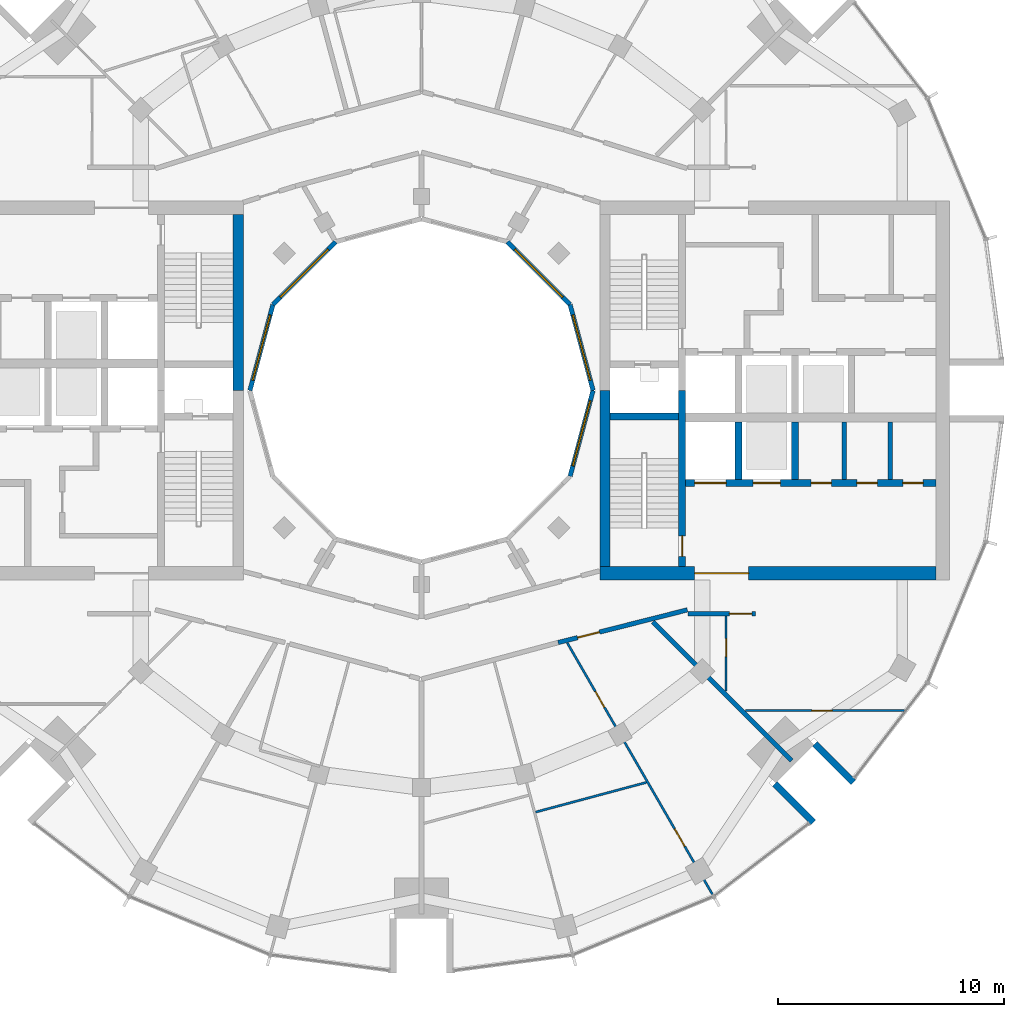
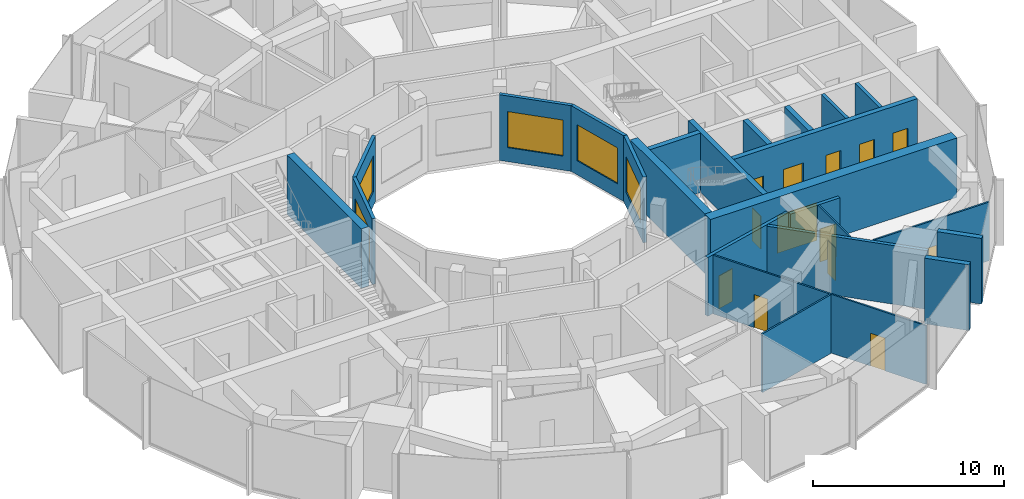
# One storey, part 10 of 15: 24 walls, 13 doors, 5 windows, 18 openings.
"""IFC4 building model written with IfcOpenShell, lengths in metres."""

from ifc_helpers import new_model, si_unit, direction, frame, frame_2d, origin, place, context, subcontext, project, spatial, rectangle, extrude, material, layer, layer_set, type_object, element, fill, save


model = new_model("IFC4")

# Units and contexts
model_context = context("Model", 3, precision=1e-05, world=origin(), true_north=direction((0.0, 1.0)))
body_context = subcontext(model_context, "Body", "Model", "MODEL_VIEW")
ifc_project = project(units=[si_unit("LENGTHUNIT", "METRE"), si_unit("AREAUNIT", "SQUARE_METRE"), si_unit("VOLUMEUNIT", "CUBIC_METRE"), si_unit("PLANEANGLEUNIT", "RADIAN"), si_unit("MASSUNIT", "GRAM", prefix="KILO")], contexts=[model_context])

# Site, building, storey
site_placement = place(None, origin())
site = spatial("IfcSite", under=ifc_project, at=site_placement, CompositionType="ELEMENT")
building_placement = place(site_placement, origin())
building = spatial("IfcBuilding", under=site, at=building_placement, Name="Torre Brocal", CompositionType="ELEMENT")
storey_placement = place(building_placement, frame((0.0, 0.0, 225.10009765625)))
storey = spatial("IfcBuildingStorey", under=building, at=storey_placement, Name="L52", CompositionType="ELEMENT", Elevation=225.10009765625)

# Walls
ifc_material_1 = material(Name="Masonry block", Category="masonry")
ifc_layer_1 = layer(ifc_material_1, 0.199951171875)
ifc_layer_set_1 = layer_set([ifc_layer_1], Name="Masonry block")
wall_type_1 = type_object("IfcWallType", Name="CORE PARTITION 200 UNDER 400 SLAB", PredefinedType="PARTITIONING", material=ifc_layer_set_1)
for number, where, z_axis, x_axis, name in (
    (1, (98.7333984375, 71.050048828125, 0.0), (0.0, 0.0, 1.0), (0.0, 1.0, 0.0), "Wall CP200-S400"),
    (2, (100.7666015625, 71.050048828125, 0.0), (0.0, 0.0, 1.0), (0.0, 1.0, 0.0), "Wall CP200-S400"),
):
    element("IfcWall", number, at=place(storey_placement, frame(where, z_axis=z_axis, x_axis=x_axis)), inside=storey, type_object=wall_type_1, Name=name, PredefinedType="PARTITIONING", context=body_context, shape_type="SweptSolid", body=[
        extrude(rectangle(XDim=2.550048828125, YDim=0.199951171875, at=frame_2d((1.27490234375, 0.0))), origin(), (0.0, 0.0, 1.0), 3.7998046875),
    ])

# Wall, opening, door
ifc_material_2 = material(Name="Concrete C60", Category="concrete")
ifc_layer_2 = layer(ifc_material_2, 0.300048828125)
ifc_layer_set_2 = layer_set([ifc_layer_2], Name="Concrete C60")
wall_type_2 = type_object("IfcWallType", Name="CORE WALL 300 C60 UNDER 400 SLAB", PredefinedType="SHEAR", material=ifc_layer_set_2)
wall_1_placement = place(storey_placement, frame((91.550048828125, 67.199951171875, 0.0), z_axis=(0.0, 0.0, 1.0), x_axis=(0.0, 1.0, 0.0)))
wall_1 = element("IfcWall", 3, at=wall_1_placement, inside=storey, type_object=wall_type_2, Name="Wall CW300-60-S400", PredefinedType="SHEAR", context=body_context, shape_type="SweptSolid", body=[
    extrude(rectangle(XDim=7.800048828125, YDim=0.300048828125, at=frame_2d((3.89990234375, 0.0))), origin(), (0.0, 0.0, 1.0), 3.7998046875),
])
opening_1_placement = place(wall_1_placement, frame((0.449951171875, 0.0, 0.0)))
opening_1 = element("IfcOpeningElement", 4, at=opening_1_placement, cuts=wall_1, Name="Opening E-D03", PredefinedType="OPENING", context=body_context, shape_type="SweptSolid", body=[
    extrude(rectangle(XDim=0.89990234375, YDim=2.10009765625, at=frame_2d((0.449951171875, 1.050048828125))), frame((0.0, 0.159912109375, 0.0), z_axis=(0.0, -1.0, 0.0), x_axis=(1.0, 0.0, 0.0)), (0.0, 0.0, 1.0), 0.320068359375),
])
ifc_material_3 = material(Name="Steel A653", Category="steel")
door_type_1 = type_object("IfcDoorType", Name="STAIR DOOR FD120 900X2100", OperationType="SINGLE_SWING_RIGHT", PredefinedType="DOOR", material=ifc_material_3)
door_1_placement = place(opening_1_placement, origin())
door_1 = element("IfcDoor", 5, at=door_1_placement, inside=storey, type_object=door_type_1, Name="Door E-D03", OperationType="SINGLE_SWING_LEFT", OverallHeight=2.10009765625, OverallWidth=0.89990234375, PredefinedType="DOOR", context=body_context, shape_type="SweptSolid", body=[
    extrude(rectangle(XDim=0.89990234375, YDim=2.10009765625, at=frame_2d((0.449951171875, 1.050048828125))), frame((0.0, 0.02490234375, 0.0), z_axis=(0.0, -1.0, 0.0), x_axis=(1.0, 0.0, 0.0)), (0.0, 0.0, 1.0), 0.050048828125),
])
fill(opening_1, door_1)

# Wall
wall_2_placement = place(storey_placement, frame((88.35009765625, 73.85009765625, 0.0), z_axis=(0.0, 0.0, 1.0), x_axis=(1.0, 0.0, 0.0)))
element("IfcWall", 6, at=wall_2_placement, inside=storey, type_object=wall_type_2, Name="Wall CW300-60-S400", PredefinedType="SHEAR", context=body_context, shape_type="SweptSolid", body=[
    extrude(rectangle(XDim=3.0498046875, YDim=0.300048828125, at=frame_2d((1.52490234375, 0.0))), origin(), (0.0, 0.0, 1.0), 3.7998046875),
])

# Wall, openings, doors
wall_3_placement = place(storey_placement, frame((91.699951171875, 70.89990234375, 0.0), z_axis=(0.0, 0.0, 1.0), x_axis=(1.0, 0.0, 0.0)))
wall_3 = element("IfcWall", 7, at=wall_3_placement, inside=storey, type_object=wall_type_2, Name="Wall CW300-60-S400", PredefinedType="SHEAR", context=body_context, shape_type="SweptSolid", body=[
    extrude(rectangle(XDim=11.10009765625, YDim=0.300048828125, at=frame_2d((5.550048828125, 0.0))), origin(), (0.0, 0.0, 1.0), 3.7998046875),
])
opening_2_placement = place(wall_3_placement, frame((0.39990234375, 0.0, 0.0)))
opening_2 = element("IfcOpeningElement", 8, at=opening_2_placement, cuts=wall_3, Name="Opening LD14", PredefinedType="OPENING", context=body_context, shape_type="SweptSolid", body=[
    extrude(rectangle(XDim=1.39990234375, YDim=2.10009765625, at=frame_2d((0.699951171875, 1.050048828125))), frame((0.0, 0.159912109375, 0.0), z_axis=(0.0, -1.0, 0.0), x_axis=(1.0, 0.0, 0.0)), (0.0, 0.0, 1.0), 0.320068359375),
])
opening_3_placement = place(wall_3_placement, frame((3.0, 0.0, 0.0)))
opening_3 = element("IfcOpeningElement", 9, at=opening_3_placement, cuts=wall_3, Name="Opening LD12", PredefinedType="OPENING", context=body_context, shape_type="SweptSolid", body=[
    extrude(rectangle(XDim=1.199951171875, YDim=2.10009765625, at=frame_2d((0.60009765625, 1.050048828125))), frame((0.0, 0.159912109375, 0.0), z_axis=(0.0, -1.0, 0.0), x_axis=(1.0, 0.0, 0.0)), (0.0, 0.0, 1.0), 0.320068359375),
])
opening_4_placement = place(wall_3_placement, frame((5.566650390625, 0.0, 0.0)))
opening_4 = element("IfcOpeningElement", 10, at=opening_4_placement, cuts=wall_3, Name="Opening E-D05", PredefinedType="OPENING", context=body_context, shape_type="SweptSolid", body=[
    extrude(rectangle(XDim=0.89990234375, YDim=2.10009765625, at=frame_2d((0.449951171875, 1.050048828125))), frame((0.0, 0.159912109375, 0.0), z_axis=(0.0, -1.0, 0.0), x_axis=(1.0, 0.0, 0.0)), (0.0, 0.0, 1.0), 0.320068359375),
])
opening_5_placement = place(wall_3_placement, frame((7.60009765625, 0.0, 0.0)))
opening_5 = element("IfcOpeningElement", 11, at=opening_5_placement, cuts=wall_3, Name="Opening E-D06", PredefinedType="OPENING", context=body_context, shape_type="SweptSolid", body=[
    extrude(rectangle(XDim=0.89990234375, YDim=2.10009765625, at=frame_2d((0.449951171875, 1.050048828125))), frame((0.0, 0.159912109375, 0.0), z_axis=(0.0, -1.0, 0.0), x_axis=(1.0, 0.0, 0.0)), (0.0, 0.0, 1.0), 0.320068359375),
])
opening_6_placement = place(wall_3_placement, frame((9.63330078125, 0.0, 0.0)))
opening_6 = element("IfcOpeningElement", 12, at=opening_6_placement, cuts=wall_3, Name="Opening E-D07", PredefinedType="OPENING", context=body_context, shape_type="SweptSolid", body=[
    extrude(rectangle(XDim=0.89990234375, YDim=2.10009765625, at=frame_2d((0.449951171875, 1.050048828125))), frame((0.0, 0.159912109375, 0.0), z_axis=(0.0, -1.0, 0.0), x_axis=(1.0, 0.0, 0.0)), (0.0, 0.0, 1.0), 0.320068359375),
])
ifc_material_4 = material(Name="Stainless steel AISI 316", Category="steel")
door_type_2 = type_object("IfcDoorType", Name="LIFT LANDING DOOR 1200X2100", OperationType="DOUBLE_DOOR_SLIDING", PredefinedType="DOOR", material=ifc_material_4)
door_2_placement = place(opening_3_placement, origin())
door_2 = element("IfcDoor", 13, at=door_2_placement, inside=storey, type_object=door_type_2, Name="Door LD12", OperationType="DOUBLE_DOOR_SLIDING", OverallHeight=2.10009765625, OverallWidth=1.199951171875, PredefinedType="DOOR", context=body_context, shape_type="SweptSolid", body=[
    extrude(rectangle(XDim=1.199951171875, YDim=2.10009765625, at=frame_2d((0.60009765625, 1.050048828125))), frame((0.0, 0.02490234375, 0.0), z_axis=(0.0, -1.0, 0.0), x_axis=(1.0, 0.0, 0.0)), (0.0, 0.0, 1.0), 0.050048828125),
])
fill(opening_3, door_2)
ifc_material_5 = material(Name="Stainless steel AISI 316", Category="steel")
door_type_3 = type_object("IfcDoorType", Name="LIFT LANDING DOOR 1400X2100", OperationType="DOUBLE_DOOR_SLIDING", PredefinedType="DOOR", material=ifc_material_5)
door_3_placement = place(opening_2_placement, origin())
door_3 = element("IfcDoor", 14, at=door_3_placement, inside=storey, type_object=door_type_3, Name="Door LD14", OperationType="DOUBLE_DOOR_SLIDING", OverallHeight=2.10009765625, OverallWidth=1.39990234375, PredefinedType="DOOR", context=body_context, shape_type="SweptSolid", body=[
    extrude(rectangle(XDim=1.39990234375, YDim=2.10009765625, at=frame_2d((0.699951171875, 1.050048828125))), frame((0.0, 0.02490234375, 0.0), z_axis=(0.0, -1.0, 0.0), x_axis=(1.0, 0.0, 0.0)), (0.0, 0.0, 1.0), 0.050048828125),
])
fill(opening_2, door_3)
ifc_material_6 = material(Name="Steel A653", Category="steel")
door_type_4 = type_object("IfcDoorType", Name="ROOM DOOR FD30S 900X2100", OperationType="SINGLE_SWING_LEFT", PredefinedType="DOOR", material=ifc_material_6)
door_4_placement = place(opening_4_placement, origin())
door_4 = element("IfcDoor", 15, at=door_4_placement, inside=storey, type_object=door_type_4, Name="Door E-D05", OperationType="SINGLE_SWING_RIGHT", OverallHeight=2.10009765625, OverallWidth=0.89990234375, PredefinedType="DOOR", context=body_context, shape_type="SweptSolid", body=[
    extrude(rectangle(XDim=0.89990234375, YDim=2.10009765625, at=frame_2d((0.449951171875, 1.050048828125))), frame((0.0, 0.02490234375, 0.0), z_axis=(0.0, -1.0, 0.0), x_axis=(1.0, 0.0, 0.0)), (0.0, 0.0, 1.0), 0.050048828125),
])
fill(opening_4, door_4)
door_5_placement = place(opening_5_placement, origin())
door_5 = element("IfcDoor", 16, at=door_5_placement, inside=storey, type_object=door_type_4, Name="Door E-D06", OperationType="SINGLE_SWING_RIGHT", OverallHeight=2.10009765625, OverallWidth=0.89990234375, PredefinedType="DOOR", context=body_context, shape_type="SweptSolid", body=[
    extrude(rectangle(XDim=0.89990234375, YDim=2.10009765625, at=frame_2d((0.449951171875, 1.050048828125))), frame((0.0, 0.02490234375, 0.0), z_axis=(0.0, -1.0, 0.0), x_axis=(1.0, 0.0, 0.0)), (0.0, 0.0, 1.0), 0.050048828125),
])
fill(opening_5, door_5)
door_6_placement = place(opening_6_placement, origin())
door_6 = element("IfcDoor", 17, at=door_6_placement, inside=storey, type_object=door_type_4, Name="Door E-D07", OperationType="SINGLE_SWING_LEFT", OverallHeight=2.10009765625, OverallWidth=0.89990234375, PredefinedType="DOOR", context=body_context, shape_type="SweptSolid", body=[
    extrude(rectangle(XDim=0.89990234375, YDim=2.10009765625, at=frame_2d((0.449951171875, 1.050048828125))), frame((0.0, 0.02490234375, 0.0), z_axis=(0.0, -1.0, 0.0), x_axis=(1.0, 0.0, 0.0)), (0.0, 0.0, 1.0), 0.050048828125),
])
fill(opening_6, door_6)

# Walls
for number, where, z_axis, x_axis, name in (
    (18, (94.050048828125, 71.050048828125, 0.0), (0.0, 0.0, 1.0), (0.0, 1.0, 0.0), "Wall CW300-60-S400"),
    (19, (96.550048828125, 71.050048828125, 0.0), (0.0, 0.0, 1.0), (0.0, 1.0, 0.0), "Wall CW300-60-S400"),
):
    element("IfcWall", number, at=place(storey_placement, frame(where, z_axis=z_axis, x_axis=x_axis)), inside=storey, type_object=wall_type_2, Name=name, PredefinedType="SHEAR", context=body_context, shape_type="SweptSolid", body=[
        extrude(rectangle(XDim=2.550048828125, YDim=0.300048828125, at=frame_2d((1.27490234375, 0.0))), origin(), (0.0, 0.0, 1.0), 3.7998046875),
    ])
ifc_material_7 = material(Name="Concrete C60", Category="concrete")
ifc_layer_3 = layer(ifc_material_7, 0.449951171875)
ifc_layer_set_3 = layer_set([ifc_layer_3], Name="Concrete C60")
wall_type_3 = type_object("IfcWallType", Name="CORE WALL 450 C60 UNDER 400 SLAB", PredefinedType="SHEAR", material=ifc_layer_set_3)
for number, where, z_axis, x_axis, name in (
    (20, (88.125, 67.199951171875, 0.0), (0.0, 0.0, 1.0), (0.0, 1.0, 0.0), "Wall CW450-60-S400"),
    (21, (71.875, 82.800048828125, 0.0), (0.0, 0.0, 1.0), (0.0, -1.0, 0.0), "Wall CW450-60-S400"),
):
    element("IfcWall", number, at=place(storey_placement, frame(where, z_axis=z_axis, x_axis=x_axis)), inside=storey, type_object=wall_type_3, Name=name, PredefinedType="SHEAR", context=body_context, shape_type="SweptSolid", body=[
        extrude(rectangle(XDim=7.800048828125, YDim=0.449951171875, at=frame_2d((3.89990234375, 0.0))), origin(), (0.0, 0.0, 1.0), 3.7998046875),
    ])

# Wall, opening, door
ifc_material_8 = material(Name="Concrete C60", Category="concrete")
ifc_layer_4 = layer(ifc_material_8, 0.60009765625)
ifc_layer_set_4 = layer_set([ifc_layer_4], Name="Concrete C60")
wall_type_4 = type_object("IfcWallType", Name="CORE WALL 600 C60 UNDER 400 SLAB", PredefinedType="SHEAR", material=ifc_layer_set_4)
wall_4_placement = place(storey_placement, frame((87.89990234375, 66.89990234375, 0.0), z_axis=(0.0, 0.0, 1.0), x_axis=(1.0, 0.0, 0.0)))
wall_4 = element("IfcWall", 22, at=wall_4_placement, inside=storey, type_object=wall_type_4, Name="Wall CW600-60-S400", PredefinedType="SHEAR", context=body_context, shape_type="SweptSolid", body=[
    extrude(rectangle(XDim=14.900146484375, YDim=0.60009765625, at=frame_2d((7.4501953125, 0.0))), origin(), (0.0, 0.0, 1.0), 3.7998046875),
])
opening_7_placement = place(wall_4_placement, frame((4.199951171875, 0.0, 0.0)))
opening_7 = element("IfcOpeningElement", 23, at=opening_7_placement, cuts=wall_4, Name="Opening E-D12", PredefinedType="OPENING", context=body_context, shape_type="SweptSolid", body=[
    extrude(rectangle(XDim=2.39990234375, YDim=2.39990234375, at=frame_2d((1.199951171875, 1.199951171875))), frame((0.0, 0.31005859375, 0.0), z_axis=(0.0, -1.0, 0.0), x_axis=(1.0, 0.0, 0.0)), (0.0, 0.0, 1.0), 0.6201171875),
])
ifc_material_9 = material(Name="Steel A653", Category="steel")
door_type_5 = type_object("IfcDoorType", Name="DOUBLE FIRE DOOR FD90 2400X2400", OperationType="DOUBLE_DOOR_SINGLE_SWING", PredefinedType="DOOR", material=ifc_material_9)
door_7_placement = place(opening_7_placement, origin())
door_7 = element("IfcDoor", 24, at=door_7_placement, inside=storey, type_object=door_type_5, Name="Door E-D12", OperationType="DOUBLE_DOOR_SINGLE_SWING", OverallHeight=2.39990234375, OverallWidth=2.39990234375, PredefinedType="DOOR", context=body_context, shape_type="SweptSolid", body=[
    extrude(rectangle(XDim=2.39990234375, YDim=2.39990234375, at=frame_2d((1.199951171875, 1.199951171875))), frame((0.0, 0.02490234375, 0.0), z_axis=(0.0, -1.0, 0.0), x_axis=(1.0, 0.0, 0.0)), (0.0, 0.0, 1.0), 0.050048828125),
])
fill(opening_7, door_7)

# Walls
ifc_material_10 = material(Name="Concrete C60", Category="concrete")
ifc_layer_5 = layer(ifc_material_10, 0.300048828125)
ifc_layer_set_5 = layer_set([ifc_layer_5], Name="Concrete C60")
wall_type_5 = type_object("IfcWallType", Name="NOTCH RETURN WALL 300 C60", PredefinedType="NOTDEFINED", material=ifc_layer_set_5)
for number, where, z_axis, x_axis, name in (
    (25, (95.662353515625, 57.56982421875, 0.0), (0.0, 0.0, 1.0), (0.707106781187, -0.707106781187, 0.0), "NOTCH RETURN WALL"),
    (26, (97.43017578125, 59.337646484375, 0.0), (0.0, 0.0, 1.0), (0.707106781187, -0.707106781187, 0.0), "NOTCH RETURN WALL"),
):
    element("IfcWall", number, at=place(storey_placement, frame(where, z_axis=z_axis, x_axis=x_axis)), inside=storey, type_object=wall_type_5, Name=name, PredefinedType="NOTDEFINED", context=body_context, shape_type="SweptSolid", body=[
        extrude(rectangle(XDim=2.415771484375, YDim=0.300048828125, at=frame_2d((1.2080078125, 0.0))), origin(), (0.0, 0.0, 1.0), 4.199951171875),
    ])
ifc_material_11 = material(Name="Gypsum board", Category="Gypsum")
ifc_layer_6 = layer(ifc_material_11, 0.10009765625)
ifc_layer_set_6 = layer_set([ifc_layer_6], Name="Gypsum board")
wall_type_6 = type_object("IfcWallType", Name="PARTITION 100", PredefinedType="PARTITIONING", material=ifc_layer_set_6)
wall_5_placement = place(storey_placement, frame((85.059326171875, 56.31298828125, 0.0), z_axis=(0.0, 0.0, 1.0), x_axis=(0.965911776939, 0.2588714723, 0.0)))
element("IfcWall", 27, at=wall_5_placement, inside=storey, type_object=wall_type_6, Name="BATHROOM WALL", PredefinedType="PARTITIONING", context=body_context, shape_type="SweptSolid", body=[
    extrude(rectangle(XDim=5.07763671875, YDim=0.10009765625, at=frame_2d((2.538818359375, 0.0))), origin(), (0.0, 0.0, 1.0), 3.75),
])

# Wall, openings, doors
wall_6_placement = place(storey_placement, frame((86.46142578125, 63.810302734375, 0.0), z_axis=(0.0, 0.0, 1.0), x_axis=(0.499925973464, -0.866068138806, 0.0)))
wall_6 = element("IfcWall", 28, at=wall_6_placement, inside=storey, type_object=wall_type_6, Name="BATHROOM WALL", PredefinedType="PARTITIONING", context=body_context, shape_type="SweptSolid", body=[
    extrude(rectangle(XDim=12.87646484375, YDim=0.10009765625, at=frame_2d((6.438232421875, 0.0))), origin(), (0.0, 0.0, 1.0), 3.75),
])
opening_8_placement = place(wall_6_placement, frame((9.513671875, 0.0, 0.0)))
opening_8 = element("IfcOpeningElement", 29, at=opening_8_placement, cuts=wall_6, Name="Opening B02-D26", PredefinedType="OPENING", context=body_context, shape_type="SweptSolid", body=[
    extrude(rectangle(XDim=0.89990234375, YDim=2.10009765625, at=frame_2d((0.449951171875, 1.050048828125))), frame((0.0, 0.06005859375, 0.0), z_axis=(0.0, -1.0, 0.0), x_axis=(1.0, 0.0, 0.0)), (0.0, 0.0, 1.0), 0.1201171875),
])
opening_9_placement = place(wall_6_placement, frame((2.493896484375, 0.0, 0.0)))
opening_9 = element("IfcOpeningElement", 30, at=opening_9_placement, cuts=wall_6, Name="Opening B02-D27", PredefinedType="OPENING", context=body_context, shape_type="SweptSolid", body=[
    extrude(rectangle(XDim=0.800048828125, YDim=2.10009765625, at=frame_2d((0.39990234375, 1.050048828125))), frame((0.0, 0.06005859375, 0.0), z_axis=(0.0, -1.0, 0.0), x_axis=(1.0, 0.0, 0.0)), (0.0, 0.0, 1.0), 0.1201171875),
])
ifc_material_12 = material(Name="Timber", Category="wood")
door_type_6 = type_object("IfcDoorType", Name="BATHROOM DOOR 800X2100", OperationType="SINGLE_SWING_LEFT", PredefinedType="DOOR", material=ifc_material_12)
door_8_placement = place(opening_9_placement, frame((0.800048828125, 0.0, 0.0), z_axis=(0.0, 0.0, 1.0), x_axis=(-1.0, 0.0, 0.0)))
door_8 = element("IfcDoor", 31, at=door_8_placement, inside=storey, type_object=door_type_6, Name="B02-D27", OperationType="SINGLE_SWING_RIGHT", OverallHeight=2.10009765625, OverallWidth=0.800048828125, PredefinedType="DOOR", context=body_context, shape_type="SweptSolid", body=[
    extrude(rectangle(XDim=0.800048828125, YDim=2.10009765625, at=frame_2d((0.39990234375, 1.050048828125))), frame((0.0, 0.02490234375, 0.0), z_axis=(0.0, -1.0, 0.0), x_axis=(1.0, 0.0, 0.0)), (0.0, 0.0, 1.0), 0.050048828125),
])
fill(opening_9, door_8)
ifc_material_13 = material(Name="Timber", Category="wood")
door_type_7 = type_object("IfcDoorType", Name="ROOM DOOR 900X2100", OperationType="SINGLE_SWING_LEFT", PredefinedType="DOOR", material=ifc_material_13)
door_9_placement = place(opening_8_placement, origin())
door_9 = element("IfcDoor", 32, at=door_9_placement, inside=storey, type_object=door_type_7, Name="B02-D26", OperationType="SINGLE_SWING_RIGHT", OverallHeight=2.10009765625, OverallWidth=0.89990234375, PredefinedType="DOOR", context=body_context, shape_type="SweptSolid", body=[
    extrude(rectangle(XDim=0.89990234375, YDim=2.10009765625, at=frame_2d((0.449951171875, 1.050048828125))), frame((0.0, 0.02490234375, 0.0), z_axis=(0.0, -1.0, 0.0), x_axis=(1.0, 0.0, 0.0)), (0.0, 0.0, 1.0), 0.050048828125),
])
fill(opening_8, door_9)

# Wall, opening, door
wall_7_placement = place(storey_placement, frame((93.5, 61.679931640625, 0.0), z_axis=(0.0, 0.0, 1.0), x_axis=(0.0, 1.0, 0.0)))
wall_7 = element("IfcWall", 33, at=wall_7_placement, inside=storey, type_object=wall_type_6, Name="BATHROOM WALL", PredefinedType="PARTITIONING", context=body_context, shape_type="SweptSolid", body=[
    extrude(rectangle(XDim=3.320068359375, YDim=0.10009765625, at=frame_2d((1.66015625, 0.0))), origin(), (0.0, 0.0, 1.0), 3.75),
])
opening_10_placement = place(wall_7_placement, frame((1.52001953125, 0.0, 0.0)))
opening_10 = element("IfcOpeningElement", 34, at=opening_10_placement, cuts=wall_7, Name="Opening B02-D24", PredefinedType="OPENING", context=body_context, shape_type="SweptSolid", body=[
    extrude(rectangle(XDim=0.800048828125, YDim=2.10009765625, at=frame_2d((0.39990234375, 1.050048828125))), frame((0.0, 0.06005859375, 0.0), z_axis=(0.0, -1.0, 0.0), x_axis=(1.0, 0.0, 0.0)), (0.0, 0.0, 1.0), 0.1201171875),
])
door_10_placement = place(opening_10_placement, origin())
door_10 = element("IfcDoor", 35, at=door_10_placement, inside=storey, type_object=door_type_6, Name="B02-D24", OperationType="SINGLE_SWING_RIGHT", OverallHeight=2.10009765625, OverallWidth=0.800048828125, PredefinedType="DOOR", context=body_context, shape_type="SweptSolid", body=[
    extrude(rectangle(XDim=0.800048828125, YDim=2.10009765625, at=frame_2d((0.39990234375, 1.050048828125))), frame((0.0, 0.02490234375, 0.0), z_axis=(0.0, -1.0, 0.0), x_axis=(1.0, 0.0, 0.0)), (0.0, 0.0, 1.0), 0.050048828125),
])
fill(opening_10, door_10)

wall_8_placement = place(storey_placement, frame((94.367919921875, 60.81201171875, 0.0), z_axis=(0.0, 0.0, 1.0), x_axis=(1.0, 0.0, 0.0)))
wall_8 = element("IfcWall", 36, at=wall_8_placement, inside=storey, type_object=wall_type_6, Name="ROOM PARTITION", PredefinedType="PARTITIONING", context=body_context, shape_type="SweptSolid", body=[
    extrude(rectangle(XDim=7.031982421875, YDim=0.10009765625, at=frame_2d((3.51611328125, 0.0))), origin(), (0.0, 0.0, 1.0), 3.75),
])
opening_11_placement = place(wall_8_placement, frame((2.927490234375, 0.0, 0.0)))
opening_11 = element("IfcOpeningElement", 37, at=opening_11_placement, cuts=wall_8, Name="Opening B02-D22", PredefinedType="OPENING", context=body_context, shape_type="SweptSolid", body=[
    extrude(rectangle(XDim=0.89990234375, YDim=2.10009765625, at=frame_2d((0.449951171875, 1.050048828125))), frame((0.0, 0.06005859375, 0.0), z_axis=(0.0, -1.0, 0.0), x_axis=(1.0, 0.0, 0.0)), (0.0, 0.0, 1.0), 0.1201171875),
])
door_11_placement = place(opening_11_placement, frame((0.89990234375, 0.0, 0.0), z_axis=(0.0, 0.0, 1.0), x_axis=(-1.0, 0.0, 0.0)))
door_11 = element("IfcDoor", 38, at=door_11_placement, inside=storey, type_object=door_type_7, Name="B02-D22", OperationType="SINGLE_SWING_RIGHT", OverallHeight=2.10009765625, OverallWidth=0.89990234375, PredefinedType="DOOR", context=body_context, shape_type="SweptSolid", body=[
    extrude(rectangle(XDim=0.89990234375, YDim=2.10009765625, at=frame_2d((0.449951171875, 1.050048828125))), frame((0.0, 0.02490234375, 0.0), z_axis=(0.0, -1.0, 0.0), x_axis=(1.0, 0.0, 0.0)), (0.0, 0.0, 1.0), 0.050048828125),
])
fill(opening_11, door_11)

ifc_material_14 = material(Name="Gypsum board", Category="Gypsum")
ifc_layer_7 = layer(ifc_material_14, 0.199951171875)
ifc_layer_set_7 = layer_set([ifc_layer_7], Name="Gypsum board")
wall_type_7 = type_object("IfcWallType", Name="PARTITION 200 EI60", PredefinedType="PARTITIONING", material=ifc_layer_set_7)
wall_9_placement = place(storey_placement, frame((86.052978515625, 63.826171875, 0.0), z_axis=(0.0, 0.0, 1.0), x_axis=(0.969490004987, 0.245130843083, 0.0)))
wall_9 = element("IfcWall", 39, at=wall_9_placement, inside=storey, type_object=wall_type_7, Name="FLAT ENTRANCE WALL", PredefinedType="PARTITIONING", context=body_context, shape_type="SweptSolid", body=[
    extrude(rectangle(XDim=5.907958984375, YDim=0.199951171875, at=frame_2d((2.9541015625, 0.0))), origin(), (0.0, 0.0, 1.0), 3.75),
])
opening_12_placement = place(wall_9_placement, frame((0.889404296875, 0.0, 0.0)))
opening_12 = element("IfcOpeningElement", 40, at=opening_12_placement, cuts=wall_9, Name="Opening B02-D25", PredefinedType="OPENING", context=body_context, shape_type="SweptSolid", body=[
    extrude(rectangle(XDim=1.0, YDim=2.10009765625, at=frame_2d((0.5, 1.050048828125))), frame((0.0, 0.10986328125, 0.0), z_axis=(0.0, -1.0, 0.0), x_axis=(1.0, 0.0, 0.0)), (0.0, 0.0, 1.0), 0.219970703125),
])
ifc_material_15 = material(Name="Timber", Category="wood")
door_type_8 = type_object("IfcDoorType", Name="FLAT ENTRY DOOR FD30S 1000X2100", OperationType="SINGLE_SWING_RIGHT", PredefinedType="DOOR", material=ifc_material_15)
door_12_placement = place(opening_12_placement, frame((1.0, 0.0, 0.0), z_axis=(0.0, 0.0, 1.0), x_axis=(-1.0, 0.0, 0.0)))
door_12 = element("IfcDoor", 41, at=door_12_placement, inside=storey, type_object=door_type_8, Name="B02-D25", OperationType="SINGLE_SWING_RIGHT", OverallHeight=2.10009765625, OverallWidth=1.0, PredefinedType="DOOR", context=body_context, shape_type="SweptSolid", body=[
    extrude(rectangle(XDim=1.0, YDim=2.10009765625, at=frame_2d((0.5, 1.050048828125))), frame((0.0, 0.02490234375, 0.0), z_axis=(0.0, -1.0, 0.0), x_axis=(1.0, 0.0, 0.0)), (0.0, 0.0, 1.0), 0.050048828125),
])
fill(opening_12, door_12)

# Wall
wall_10_placement = place(storey_placement, frame((90.26025390625, 64.73974609375, 0.0), z_axis=(0.0, 0.0, 1.0), x_axis=(0.707106781187, -0.707106781187, 0.0)))
element("IfcWall", 42, at=wall_10_placement, inside=storey, type_object=wall_type_7, Name="BATHROOM WALL", PredefinedType="PARTITIONING", context=body_context, shape_type="SweptSolid", body=[
    extrude(rectangle(XDim=8.689697265625, YDim=0.199951171875, at=frame_2d((4.3447265625, 0.0))), origin(), (0.0, 0.0, 1.0), 3.75),
])

# Wall, opening, door
wall_11_placement = place(storey_placement, frame((91.800048828125, 65.10009765625, 0.0), z_axis=(0.0, 0.0, 1.0), x_axis=(1.0, 0.0, 0.0)))
wall_11 = element("IfcWall", 43, at=wall_11_placement, inside=storey, type_object=wall_type_7, Name="FLAT ENTRANCE WALL", PredefinedType="PARTITIONING", context=body_context, shape_type="SweptSolid", body=[
    extrude(rectangle(XDim=3.0, YDim=0.199951171875, at=frame_2d((1.5, 0.0))), origin(), (0.0, 0.0, 1.0), 3.75),
])
opening_13_placement = place(wall_11_placement, frame((1.840087890625, 0.0, 0.0)))
opening_13 = element("IfcOpeningElement", 44, at=opening_13_placement, cuts=wall_11, Name="Opening B02-D23", PredefinedType="OPENING", context=body_context, shape_type="SweptSolid", body=[
    extrude(rectangle(XDim=1.0, YDim=2.10009765625, at=frame_2d((0.5, 1.050048828125))), frame((0.0, 0.10986328125, 0.0), z_axis=(0.0, -1.0, 0.0), x_axis=(1.0, 0.0, 0.0)), (0.0, 0.0, 1.0), 0.219970703125),
])
door_13_placement = place(opening_13_placement, frame((1.0, 0.0, 0.0), z_axis=(0.0, 0.0, 1.0), x_axis=(-1.0, 0.0, 0.0)))
door_13 = element("IfcDoor", 45, at=door_13_placement, inside=storey, type_object=door_type_8, Name="B02-D23", OperationType="SINGLE_SWING_RIGHT", OverallHeight=2.10009765625, OverallWidth=1.0, PredefinedType="DOOR", context=body_context, shape_type="SweptSolid", body=[
    extrude(rectangle(XDim=1.0, YDim=2.10009765625, at=frame_2d((0.5, 1.050048828125))), frame((0.0, 0.02490234375, 0.0), z_axis=(0.0, -1.0, 0.0), x_axis=(1.0, 0.0, 0.0)), (0.0, 0.0, 1.0), 0.050048828125),
])
fill(opening_13, door_13)

# Wall, opening, window
ifc_material_16 = material(Name="Concrete C40", Category="concrete")
ifc_layer_8 = layer(ifc_material_16, 0.199951171875)
ifc_layer_set_8 = layer_set([ifc_layer_8], Name="Concrete C40")
wall_type_8 = type_object("IfcWallType", Name="WELL FACADE WALL 200", PredefinedType="NOTDEFINED", material=ifc_layer_set_8)
wall_12_placement = place(storey_placement, frame((87.603515625, 75.0, 0.0), z_axis=(0.0, 0.0, 1.0), x_axis=(-0.258789828301, 0.965933654434, 0.0)))
wall_12 = element("IfcWall", 46, at=wall_12_placement, inside=storey, type_object=wall_type_8, Name="WELL FACADE WALL", PredefinedType="NOTDEFINED", context=body_context, shape_type="SweptSolid", body=[
    extrude(rectangle(XDim=3.935791015625, YDim=0.199951171875, at=frame_2d((1.9677734375, 0.0))), origin(), (0.0, 0.0, 1.0), 4.199951171875),
])
opening_14_placement = place(wall_12_placement, frame((0.468017578125, 0.0, 0.89990234375)))
opening_14 = element("IfcOpeningElement", 47, at=opening_14_placement, cuts=wall_12, Name="Opening W1", PredefinedType="OPENING", context=body_context, shape_type="SweptSolid", body=[
    extrude(rectangle(XDim=3.0, YDim=2.300048828125, at=frame_2d((1.5, 1.14990234375))), frame((0.0, 0.10986328125, 0.0), z_axis=(0.0, -1.0, 0.0), x_axis=(1.0, 0.0, 0.0)), (0.0, 0.0, 1.0), 0.219970703125),
])
ifc_material_17 = material(Name="Aluminium and glass", Category="aluminium")
window_type = type_object("IfcWindowType", Name="WELL WINDOW 3000X2300", PartitioningType="SINGLE_PANEL", PredefinedType="WINDOW", material=ifc_material_17)
window_1_placement = place(opening_14_placement, origin())
window_1 = element("IfcWindow", 48, at=window_1_placement, inside=storey, type_object=window_type, Name="WELL WINDOW 3000X2300", OverallHeight=2.300048828125, OverallWidth=3.0, PartitioningType="SINGLE_PANEL", PredefinedType="WINDOW", context=body_context, shape_type="SweptSolid", body=[
    extrude(rectangle(XDim=3.0, YDim=2.300048828125, at=frame_2d((1.5, 1.14990234375))), frame((0.0, 0.030029296875, 0.0), z_axis=(0.0, -1.0, 0.0), x_axis=(1.0, 0.0, 0.0)), (0.0, 0.0, 1.0), 0.06005859375),
])
fill(opening_14, window_1)

wall_13_placement = place(storey_placement, frame((86.5849609375, 78.8017578125, 0.0), z_axis=(0.0, 0.0, 1.0), x_axis=(-0.707106781187, 0.707106781187, 0.0)))
wall_13 = element("IfcWall", 49, at=wall_13_placement, inside=storey, type_object=wall_type_8, Name="WELL FACADE WALL", PredefinedType="NOTDEFINED", context=body_context, shape_type="SweptSolid", body=[
    extrude(rectangle(XDim=3.93603515625, YDim=0.199951171875, at=frame_2d((1.968017578125, 0.0))), origin(), (0.0, 0.0, 1.0), 4.199951171875),
])
opening_15_placement = place(wall_13_placement, frame((0.468017578125, 0.0, 0.89990234375)))
opening_15 = element("IfcOpeningElement", 50, at=opening_15_placement, cuts=wall_13, Name="Opening W1", PredefinedType="OPENING", context=body_context, shape_type="SweptSolid", body=[
    extrude(rectangle(XDim=3.0, YDim=2.300048828125, at=frame_2d((1.5, 1.14990234375))), frame((0.0, 0.10986328125, 0.0), z_axis=(0.0, -1.0, 0.0), x_axis=(1.0, 0.0, 0.0)), (0.0, 0.0, 1.0), 0.219970703125),
])
window_2_placement = place(opening_15_placement, origin())
window_2 = element("IfcWindow", 51, at=window_2_placement, inside=storey, type_object=window_type, Name="WELL WINDOW 3000X2300", OverallHeight=2.300048828125, OverallWidth=3.0, PartitioningType="SINGLE_PANEL", PredefinedType="WINDOW", context=body_context, shape_type="SweptSolid", body=[
    extrude(rectangle(XDim=3.0, YDim=2.300048828125, at=frame_2d((1.5, 1.14990234375))), frame((0.0, 0.030029296875, 0.0), z_axis=(0.0, -1.0, 0.0), x_axis=(1.0, 0.0, 0.0)), (0.0, 0.0, 1.0), 0.06005859375),
])
fill(opening_15, window_2)

wall_14_placement = place(storey_placement, frame((76.1982421875, 81.5849609375, 0.0), z_axis=(0.0, 0.0, 1.0), x_axis=(-0.707106781187, -0.707106781187, 0.0)))
wall_14 = element("IfcWall", 52, at=wall_14_placement, inside=storey, type_object=wall_type_8, Name="WELL FACADE WALL", PredefinedType="NOTDEFINED", context=body_context, shape_type="SweptSolid", body=[
    extrude(rectangle(XDim=3.93603515625, YDim=0.199951171875, at=frame_2d((1.968017578125, 0.0))), origin(), (0.0, 0.0, 1.0), 4.199951171875),
])
opening_16_placement = place(wall_14_placement, frame((0.468017578125, 0.0, 0.89990234375)))
opening_16 = element("IfcOpeningElement", 53, at=opening_16_placement, cuts=wall_14, Name="Opening W1", PredefinedType="OPENING", context=body_context, shape_type="SweptSolid", body=[
    extrude(rectangle(XDim=3.0, YDim=2.300048828125, at=frame_2d((1.5, 1.14990234375))), frame((0.0, 0.10986328125, 0.0), z_axis=(0.0, -1.0, 0.0), x_axis=(1.0, 0.0, 0.0)), (0.0, 0.0, 1.0), 0.219970703125),
])
window_3_placement = place(opening_16_placement, origin())
window_3 = element("IfcWindow", 54, at=window_3_placement, inside=storey, type_object=window_type, Name="WELL WINDOW 3000X2300", OverallHeight=2.300048828125, OverallWidth=3.0, PartitioningType="SINGLE_PANEL", PredefinedType="WINDOW", context=body_context, shape_type="SweptSolid", body=[
    extrude(rectangle(XDim=3.0, YDim=2.300048828125, at=frame_2d((1.5, 1.14990234375))), frame((0.0, 0.030029296875, 0.0), z_axis=(0.0, -1.0, 0.0), x_axis=(1.0, 0.0, 0.0)), (0.0, 0.0, 1.0), 0.06005859375),
])
fill(opening_16, window_3)

wall_15_placement = place(storey_placement, frame((73.4150390625, 78.8017578125, 0.0), z_axis=(0.0, 0.0, 1.0), x_axis=(-0.258789828301, -0.965933654434, 0.0)))
wall_15 = element("IfcWall", 55, at=wall_15_placement, inside=storey, type_object=wall_type_8, Name="WELL FACADE WALL", PredefinedType="NOTDEFINED", context=body_context, shape_type="SweptSolid", body=[
    extrude(rectangle(XDim=3.935791015625, YDim=0.199951171875, at=frame_2d((1.9677734375, 0.0))), origin(), (0.0, 0.0, 1.0), 4.199951171875),
])
opening_17_placement = place(wall_15_placement, frame((0.468017578125, 0.0, 0.89990234375)))
opening_17 = element("IfcOpeningElement", 56, at=opening_17_placement, cuts=wall_15, Name="Opening W1", PredefinedType="OPENING", context=body_context, shape_type="SweptSolid", body=[
    extrude(rectangle(XDim=3.0, YDim=2.300048828125, at=frame_2d((1.5, 1.14990234375))), frame((0.0, 0.10986328125, 0.0), z_axis=(0.0, -1.0, 0.0), x_axis=(1.0, 0.0, 0.0)), (0.0, 0.0, 1.0), 0.219970703125),
])
window_4_placement = place(opening_17_placement, origin())
window_4 = element("IfcWindow", 57, at=window_4_placement, inside=storey, type_object=window_type, Name="WELL WINDOW 3000X2300", OverallHeight=2.300048828125, OverallWidth=3.0, PartitioningType="SINGLE_PANEL", PredefinedType="WINDOW", context=body_context, shape_type="SweptSolid", body=[
    extrude(rectangle(XDim=3.0, YDim=2.300048828125, at=frame_2d((1.5, 1.14990234375))), frame((0.0, 0.030029296875, 0.0), z_axis=(0.0, -1.0, 0.0), x_axis=(1.0, 0.0, 0.0)), (0.0, 0.0, 1.0), 0.06005859375),
])
fill(opening_17, window_4)

wall_16_placement = place(storey_placement, frame((86.5849609375, 71.1982421875, 0.0), z_axis=(0.0, 0.0, 1.0), x_axis=(0.258789828301, 0.965933654434, 0.0)))
wall_16 = element("IfcWall", 58, at=wall_16_placement, inside=storey, type_object=wall_type_8, Name="WELL FACADE WALL", PredefinedType="NOTDEFINED", context=body_context, shape_type="SweptSolid", body=[
    extrude(rectangle(XDim=3.935791015625, YDim=0.199951171875, at=frame_2d((1.9677734375, 0.0))), origin(), (0.0, 0.0, 1.0), 4.199951171875),
])
opening_18_placement = place(wall_16_placement, frame((0.468017578125, 0.0, 0.89990234375)))
opening_18 = element("IfcOpeningElement", 59, at=opening_18_placement, cuts=wall_16, Name="Opening W1", PredefinedType="OPENING", context=body_context, shape_type="SweptSolid", body=[
    extrude(rectangle(XDim=3.0, YDim=2.300048828125, at=frame_2d((1.5, 1.14990234375))), frame((0.0, 0.10986328125, 0.0), z_axis=(0.0, -1.0, 0.0), x_axis=(1.0, 0.0, 0.0)), (0.0, 0.0, 1.0), 0.219970703125),
])
window_5_placement = place(opening_18_placement, origin())
window_5 = element("IfcWindow", 60, at=window_5_placement, inside=storey, type_object=window_type, Name="WELL WINDOW 3000X2300", OverallHeight=2.300048828125, OverallWidth=3.0, PartitioningType="SINGLE_PANEL", PredefinedType="WINDOW", context=body_context, shape_type="SweptSolid", body=[
    extrude(rectangle(XDim=3.0, YDim=2.300048828125, at=frame_2d((1.5, 1.14990234375))), frame((0.0, 0.030029296875, 0.0), z_axis=(0.0, -1.0, 0.0), x_axis=(1.0, 0.0, 0.0)), (0.0, 0.0, 1.0), 0.06005859375),
])
fill(opening_18, window_5)

save(model, "model.ifc")
